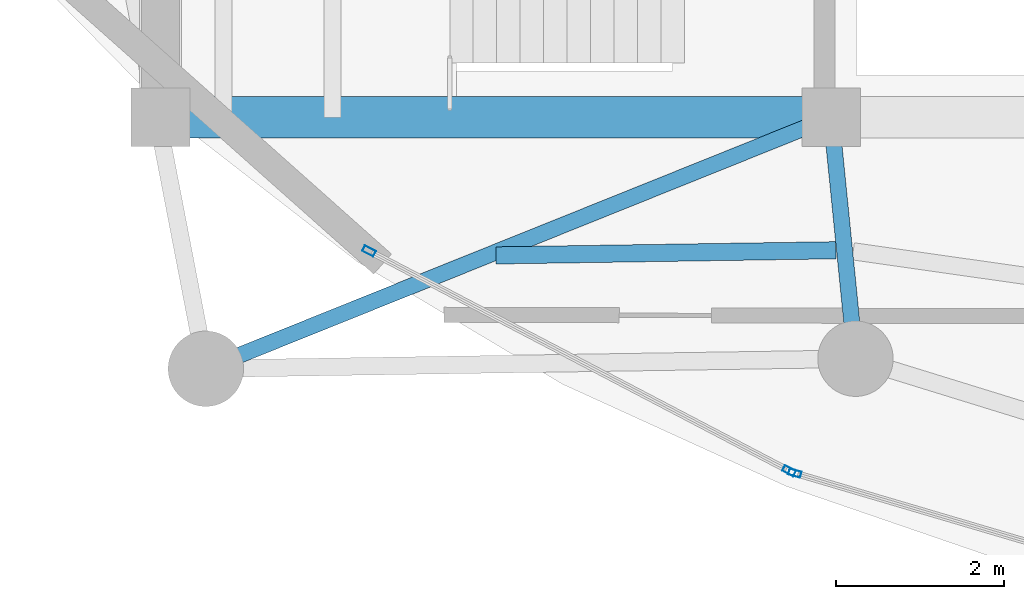
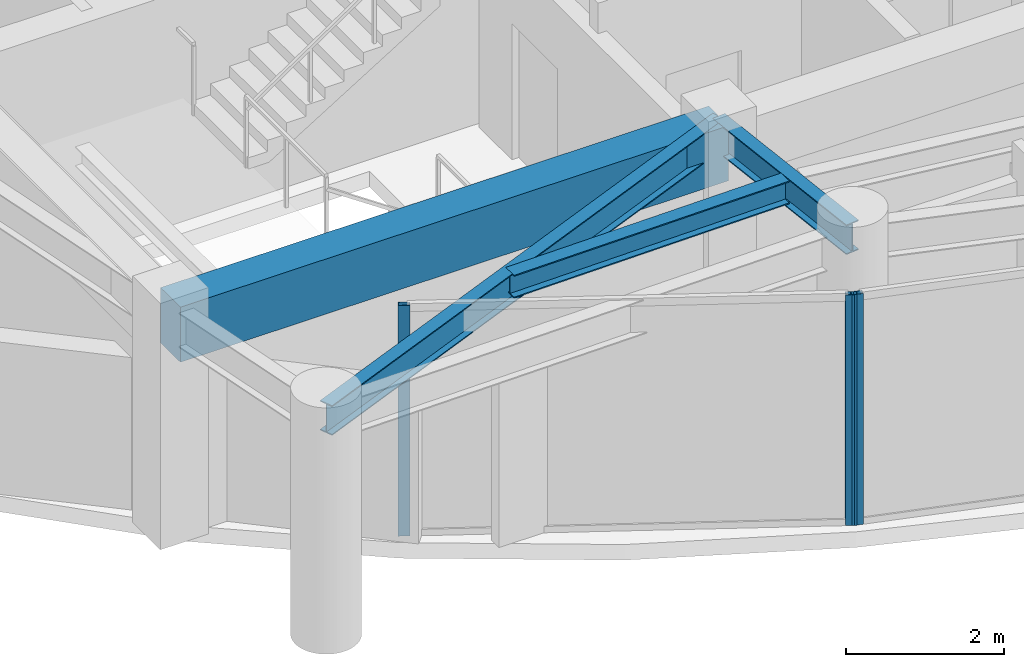
# One storey, part 2 of 29: 4 beams, 3 members, 2 elements without a shape of their own.
"""IFC4 building model written with IfcOpenShell, lengths in metres."""

from ifc_helpers import new_model, si_unit, direction, frame, origin, origin_2d, place, context, subcontext, project, spatial, rectangle, hollow_rectangle, i_section, extrude, material, layer, layer_set, material_profile, profile_set, type_object, element, aggregate, save


model = new_model("IFC4")

# Units and contexts
model_context = context("Model", 3, precision=1e-05, world=origin(), true_north=direction((0.0, 1.0)))
body_context = subcontext(model_context, "Body", "Model", "MODEL_VIEW")
ifc_project = project(units=[si_unit("LENGTHUNIT", "METRE"), si_unit("AREAUNIT", "SQUARE_METRE"), si_unit("VOLUMEUNIT", "CUBIC_METRE"), si_unit("PLANEANGLEUNIT", "RADIAN"), si_unit("MASSUNIT", "GRAM", prefix="KILO")], contexts=[model_context])

# Site, building, storey
site_placement = place(None, origin())
site = spatial("IfcSite", under=ifc_project, at=site_placement, CompositionType="ELEMENT")
building_placement = place(site_placement, origin())
building = spatial("IfcBuilding", under=site, at=building_placement, Name="Kazevale Care Tower and Concert Hall", CompositionType="ELEMENT")
storey_placement = place(building_placement, frame((0.0, 0.0, 285.199951171875)))
storey = spatial("IfcBuildingStorey", under=building, at=storey_placement, Name="L75", CompositionType="ELEMENT", Elevation=285.199951171875)

# Curtain wall, member
ifc_material_1 = material(Name="Aluminium 6063-T6 and Low-E Glass", Category="aluminium")
ifc_layer = layer(ifc_material_1, 0.179931640625)
ifc_layer_set = layer_set([ifc_layer], Name="Aluminium 6063-T6 and Low-E Glass")
curtain_wall_type = type_object("IfcCurtainWallType", Name="Sheltered Concave Balcony Curtain Wall CW-5", PredefinedType="NOTDEFINED", material=ifc_layer_set)
curtain_wall_1_placement = place(storey_placement, origin())
curtain_wall_1 = element("IfcCurtainWall", 1, at=curtain_wall_1_placement, inside=storey, type_object=curtain_wall_type, Name="cw:L75:f08", PredefinedType="NOTDEFINED")
ifc_material_2 = material(Name="Aluminium 6063-T6", Category="aluminium")
ifc_material_profile_1 = material_profile(ifc_material_2, hollow_rectangle(XDim=0.074951171875, YDim=0.14990234375, WallThickness=0.00390625, at=origin_2d()), Name="ALU75x150x4")
ifc_profile_set_1 = profile_set([ifc_material_profile_1], Name="Aluminium 6063-T6")
member_type = type_object("IfcMemberType", Name="CW-5 Mullion ALU75x150x4", PredefinedType="MULLION", material=ifc_profile_set_1)
member_1_placement = place(storey_placement, frame((29.56689453125, 19.3544921875, 0.0), z_axis=(0.0, 0.0, 1.0), x_axis=(-0.283202506274, -0.959060133902, 0.0)))
member_1 = element("IfcMember", 2, at=member_1_placement, type_object=member_type, Name="CW-5 mullion 2", PredefinedType="MULLION", context=body_context, shape_type="SweptSolid", body=[
    extrude(hollow_rectangle(XDim=0.074951171875, YDim=0.14990234375, WallThickness=0.00390625, at=origin_2d()), origin(), (0.0, 0.0, 1.0), 3.56005859375),
])
aggregate(curtain_wall_1, [member_1])

# Curtain wall, members
curtain_wall_2_placement = place(storey_placement, origin())
curtain_wall_2 = element("IfcCurtainWall", 3, at=curtain_wall_2_placement, inside=storey, type_object=curtain_wall_type, Name="cw:L75:f09", PredefinedType="NOTDEFINED")
member_2_placement = place(storey_placement, frame((29.497802734375, 19.38232421875, 0.0), z_axis=(0.0, 0.0, 1.0), x_axis=(-0.463680915912, -0.886002261972, 0.0)))
member_2 = element("IfcMember", 4, at=member_2_placement, type_object=member_type, Name="CW-5 mullion 1", PredefinedType="MULLION", context=body_context, shape_type="SweptSolid", body=[
    extrude(hollow_rectangle(XDim=0.074951171875, YDim=0.14990234375, WallThickness=0.00390625, at=origin_2d()), origin(), (0.0, 0.0, 1.0), 3.56005859375),
])
member_3_placement = place(storey_placement, frame((24.4873046875, 22.004638671875, 0.0), z_axis=(0.0, 0.0, 1.0), x_axis=(-0.463680915912, -0.886002261972, 0.0)))
member_3 = element("IfcMember", 5, at=member_3_placement, type_object=member_type, Name="CW-5 mullion 2", PredefinedType="MULLION", context=body_context, shape_type="SweptSolid", body=[
    extrude(hollow_rectangle(XDim=0.074951171875, YDim=0.14990234375, WallThickness=0.00390625, at=origin_2d()), origin(), (0.0, 0.0, 1.0), 3.56005859375),
])
aggregate(curtain_wall_2, [member_2, member_3])

# Beams
ifc_material_3 = material(Name="Concrete C60", Category="concrete")
ifc_material_profile_2 = material_profile(ifc_material_3, rectangle(XDim=0.5, YDim=0.85009765625, at=origin_2d()), Name="RC-B500x850")
ifc_profile_set_2 = profile_set([ifc_material_profile_2], Name="Concrete C60")
beam_type_1 = type_object("IfcBeamType", Name="Core Coupling Beam RC500x850", PredefinedType="LINTEL", material=ifc_profile_set_2)
beam_1_placement = place(storey_placement, frame((22.0, 23.60009765625, 3.135009765625), z_axis=(1.0, 0.0, 0.0), x_axis=(0.0, 1.0, 0.0)))
element("IfcBeam", 6, at=beam_1_placement, inside=storey, type_object=beam_type_1, Name="beam:L75:coretie:1", PredefinedType="LINTEL", context=body_context, shape_type="SweptSolid", body=[
    extrude(rectangle(XDim=0.5, YDim=0.85009765625, at=origin_2d()), origin(), (0.0, 0.0, 1.0), 8.0),
])
ifc_material_4 = material(Name="Steel ASTM A572 Gr 50", Category="steel")
ifc_material_profile_3 = material_profile(ifc_material_4, i_section(OverallWidth=0.19091796875, OverallDepth=0.4599609375, WebThickness=0.010009765625, FlangeThickness=0.01611328125, at=origin_2d()), Name="W460x82")
ifc_profile_set_3 = profile_set([ifc_material_profile_3], Name="Steel ASTM A572 Gr 50")
beam_type_2 = type_object("IfcBeamType", Name="Radial Floor Beam W460x82", PredefinedType="BEAM", material=ifc_profile_set_3)
beam_2_placement = place(storey_placement, frame((30.0, 23.60009765625, 3.330078125), z_axis=(-0.927788258921, -0.373107151644, 0.0), x_axis=(0.373107151644, -0.927788258921, 0.0)))
element("IfcBeam", 7, at=beam_2_placement, inside=storey, type_object=beam_type_2, Name="beam:L75:rad:10", PredefinedType="BEAM", context=body_context, shape_type="SweptSolid", body=[
    extrude(i_section(OverallWidth=0.19091796875, OverallDepth=0.4599609375, WebThickness=0.010009765625, FlangeThickness=0.01611328125, at=origin_2d()), origin(), (0.0, 0.0, 1.0), 8.04052734375),
])
beam_3_placement = place(storey_placement, frame((30.0, 23.60009765625, 3.330078125), z_axis=(0.100196792003, -0.994967639108, 0.0), x_axis=(0.994967639108, 0.100196792003, 0.0)))
element("IfcBeam", 8, at=beam_3_placement, inside=storey, type_object=beam_type_2, Name="beam:L75:rad:11", PredefinedType="BEAM", context=body_context, shape_type="SweptSolid", body=[
    extrude(i_section(OverallWidth=0.19091796875, OverallDepth=0.4599609375, WebThickness=0.010009765625, FlangeThickness=0.01611328125, at=origin_2d()), origin(), (0.0, 0.0, 1.0), 2.894775390625),
])
ifc_material_profile_4 = material_profile(ifc_material_4, i_section(OverallWidth=0.205078125, OverallDepth=0.35400390625, WebThickness=0.009521484375, FlangeThickness=0.016845703125, at=origin_2d()), Name="W360x79")
ifc_profile_set_4 = profile_set([ifc_material_profile_4], Name="Steel ASTM A572 Gr 50")
beam_type_3 = type_object("IfcBeamType", Name="Secondary Floor Joist W360x79", PredefinedType="JOIST", material=ifc_profile_set_4)
beam_4_placement = place(storey_placement, frame((26.001953125, 21.951904296875, 3.383056640625), z_axis=(0.999882971215, 0.015298492542, 0.0), x_axis=(-0.015298492542, 0.999882971215, 0.0)))
element("IfcBeam", 9, at=beam_4_placement, inside=storey, type_object=beam_type_3, Name="beam:L75:joist:10", PredefinedType="JOIST", context=body_context, shape_type="SweptSolid", body=[
    extrude(i_section(OverallWidth=0.205078125, OverallDepth=0.35400390625, WebThickness=0.009521484375, FlangeThickness=0.016845703125, at=origin_2d()), origin(), (0.0, 0.0, 1.0), 4.053466796875),
])

save(model, "model.ifc")
